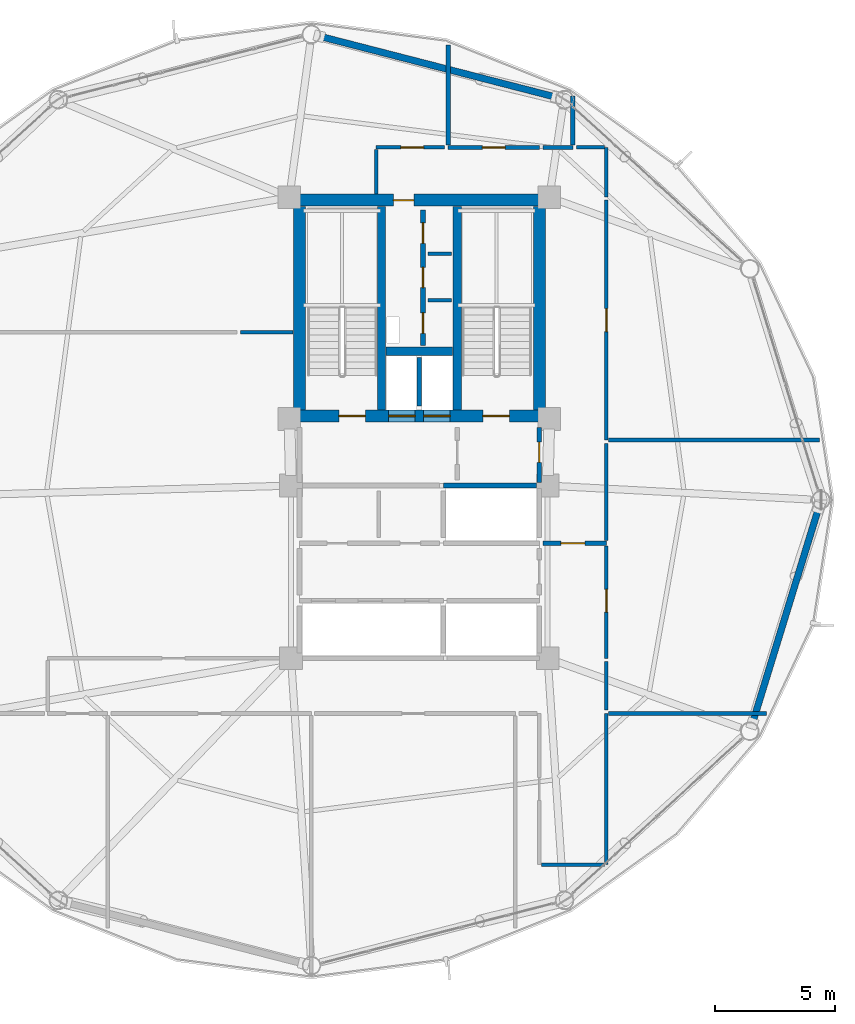
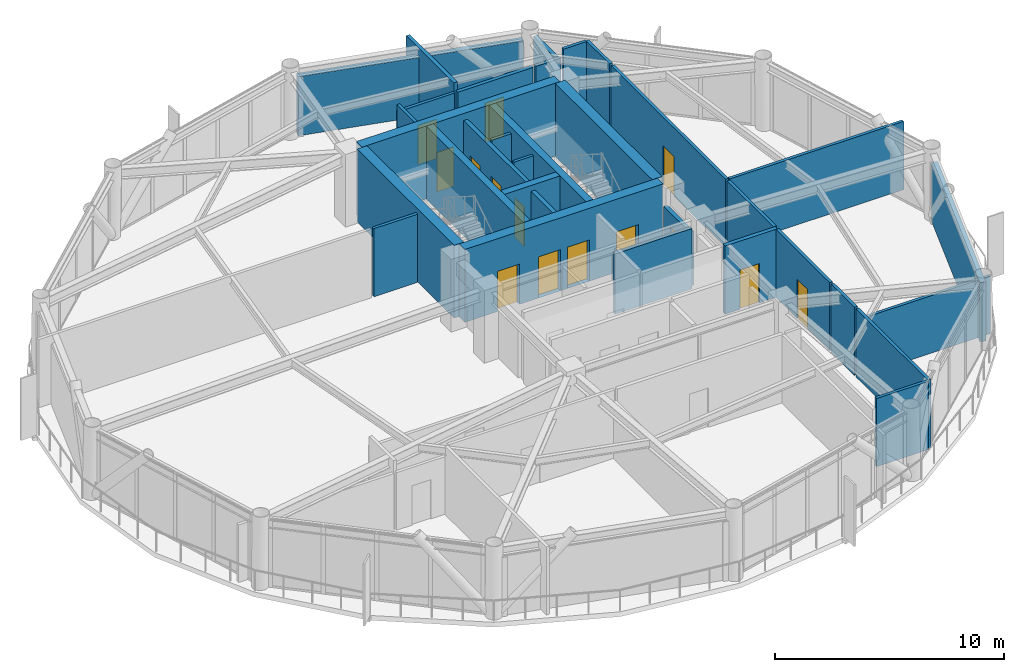
# One storey, part 21 of 25: 33 walls, 14 doors, 14 openings.
"""IFC4 building model written with IfcOpenShell, lengths in metres."""

from ifc_helpers import new_model, si_unit, direction, frame, frame_2d, origin, place, context, subcontext, project, spatial, rectangle, extrude, material, layer, layer_set, type_object, element, fill, save


model = new_model("IFC4")

# Units and contexts
model_context = context("Model", 3, precision=1e-05, world=origin(), true_north=direction((0.0, 1.0)))
body_context = subcontext(model_context, "Body", "Model", "MODEL_VIEW")
ifc_project = project(units=[si_unit("LENGTHUNIT", "METRE"), si_unit("AREAUNIT", "SQUARE_METRE"), si_unit("VOLUMEUNIT", "CUBIC_METRE"), si_unit("PLANEANGLEUNIT", "RADIAN"), si_unit("MASSUNIT", "GRAM", prefix="KILO")], contexts=[model_context])

# Site, building, storey
site_placement = place(None, origin())
site = spatial("IfcSite", under=ifc_project, at=site_placement, CompositionType="ELEMENT")
building_placement = place(site_placement, origin())
building = spatial("IfcBuilding", under=site, at=building_placement, Name="Varnakorn Sky Granary", CompositionType="ELEMENT")
storey_placement = place(building_placement, frame((0.0, 0.0, 122.699951171875)))
storey = spatial("IfcBuildingStorey", under=building, at=storey_placement, Name="L30", CompositionType="ELEMENT", Elevation=122.699951171875)

# Walls
ifc_material_1 = material(Name="Concrete C50/60", Category="concrete")
ifc_layer_1 = layer(ifc_material_1, 0.35009765625, Name="Concrete C50/60")
ifc_layer_set_1 = layer_set([ifc_layer_1], Name="Concrete C50/60")
wall_type_1 = type_object("IfcWallType", Name="WT-CW-INT-350", PredefinedType="SHEAR", material=ifc_layer_set_1)
for number, where, z_axis, x_axis, name in (
    (1, (1.419921875, 3.760009765625, 0.0), (0.0, 0.0, 1.0), (0.0, 1.0, 0.0), "Stair ST-1 Core Wall L30"),
    (2, (4.580078125, 3.760009765625, 0.0), (0.0, 0.0, 1.0), (0.0, 1.0, 0.0), "Stair ST-2 Core Wall L30"),
):
    element("IfcWall", number, at=place(storey_placement, frame(where, z_axis=z_axis, x_axis=x_axis)), inside=storey, type_object=wall_type_1, Name=name, PredefinedType="SHEAR", context=body_context, shape_type="SweptSolid", body=[
        extrude(rectangle(XDim=8.47998046875, YDim=0.35009765625, at=frame_2d((4.239990234375, 0.0))), origin(), (0.0, 0.0, 1.0), 3.89208984375),
    ])
wall_1_placement = place(storey_placement, frame((1.610107421875, 6.199951171875, 0.0), z_axis=(0.0, 0.0, 1.0), x_axis=(1.0, 0.0, 0.0)))
element("IfcWall", 3, at=wall_1_placement, inside=storey, type_object=wall_type_1, Name="Core Lift Shaft Cross Wall L30", PredefinedType="SHEAR", context=body_context, shape_type="SweptSolid", body=[
    extrude(rectangle(XDim=2.77978515625, YDim=0.35009765625, at=frame_2d((1.389892578125, 0.0))), origin(), (0.0, 0.0, 1.0), 3.89208984375),
])

# Wall, openings, doors
ifc_material_2 = material(Name="Concrete C60/75", Category="concrete")
ifc_layer_2 = layer(ifc_material_2, 0.5, Name="Concrete C60/75")
ifc_layer_set_2 = layer_set([ifc_layer_2], Name="Concrete C60/75")
wall_type_2 = type_object("IfcWallType", Name="WT-CW-SHEAR-500", PredefinedType="SHEAR", material=ifc_layer_set_2)
wall_2_placement = place(storey_placement, frame((-2.0, 3.5, 0.0), z_axis=(0.0, 0.0, 1.0), x_axis=(1.0, 0.0, 0.0)))
wall_2 = element("IfcWall", 4, at=wall_2_placement, inside=storey, type_object=wall_type_2, Name="Core South Shear Wall L30", PredefinedType="SHEAR", context=body_context, shape_type="SweptSolid", body=[
    extrude(rectangle(XDim=10.0, YDim=0.5, at=frame_2d((5.0, 0.0))), origin(), (0.0, 0.0, 1.0), 3.89208984375),
])
opening_1_placement = place(wall_2_placement, frame((1.64990234375, 0.0, 0.0)))
opening_1 = element("IfcOpeningElement", 5, at=opening_1_placement, cuts=wall_2, Name="Opening FD-90", PredefinedType="OPENING", context=body_context, shape_type="SweptSolid", body=[
    extrude(rectangle(XDim=1.10009765625, YDim=2.14990234375, at=frame_2d((0.550048828125, 1.074951171875))), frame((0.0, 0.260009765625, 0.0), z_axis=(0.0, -1.0, 0.0), x_axis=(1.0, 0.0, 0.0)), (0.0, 0.0, 1.0), 0.52001953125),
])
opening_2_placement = place(wall_2_placement, frame((7.64990234375, 0.0, 0.0)))
opening_2 = element("IfcOpeningElement", 6, at=opening_2_placement, cuts=wall_2, Name="Opening FD-90", PredefinedType="OPENING", context=body_context, shape_type="SweptSolid", body=[
    extrude(rectangle(XDim=1.10009765625, YDim=2.14990234375, at=frame_2d((0.550048828125, 1.074951171875))), frame((0.0, 0.260009765625, 0.0), z_axis=(0.0, -1.0, 0.0), x_axis=(1.0, 0.0, 0.0)), (0.0, 0.0, 1.0), 0.52001953125),
])
opening_3_placement = place(wall_2_placement, frame((3.719970703125, 0.0, 0.0)))
opening_3 = element("IfcOpeningElement", 7, at=opening_3_placement, cuts=wall_2, Name="Opening LD-01", PredefinedType="OPENING", context=body_context, shape_type="SweptSolid", body=[
    extrude(rectangle(XDim=1.10009765625, YDim=2.199951171875, at=frame_2d((0.550048828125, 1.10009765625))), frame((0.0, 0.260009765625, 0.0), z_axis=(0.0, -1.0, 0.0), x_axis=(1.0, 0.0, 0.0)), (0.0, 0.0, 1.0), 0.52001953125),
])
opening_4_placement = place(wall_2_placement, frame((5.179931640625, 0.0, 0.0)))
opening_4 = element("IfcOpeningElement", 8, at=opening_4_placement, cuts=wall_2, Name="Opening LD-01", PredefinedType="OPENING", context=body_context, shape_type="SweptSolid", body=[
    extrude(rectangle(XDim=1.10009765625, YDim=2.199951171875, at=frame_2d((0.550048828125, 1.10009765625))), frame((0.0, 0.260009765625, 0.0), z_axis=(0.0, -1.0, 0.0), x_axis=(1.0, 0.0, 0.0)), (0.0, 0.0, 1.0), 0.52001953125),
])
ifc_material_3 = material(Name="Brushed Bronze Stainless Steel", Category="steel")
door_type_1 = type_object("IfcDoorType", Name="DR-LD-1100", OperationType="DOUBLE_DOOR_SLIDING", PredefinedType="DOOR", material=ifc_material_3)
door_1_placement = place(opening_3_placement, origin())
door_1 = element("IfcDoor", 9, at=door_1_placement, inside=storey, type_object=door_type_1, Name="Firefighting Lift FFL-1 Landing Door L30", OperationType="DOUBLE_DOOR_SLIDING", OverallHeight=2.199951171875, OverallWidth=1.10009765625, PredefinedType="DOOR", context=body_context, shape_type="SweptSolid", body=[
    extrude(rectangle(XDim=1.10009765625, YDim=2.199951171875, at=frame_2d((0.550048828125, 1.10009765625))), frame((0.0, 0.02490234375, 0.0), z_axis=(0.0, -1.0, 0.0), x_axis=(1.0, 0.0, 0.0)), (0.0, 0.0, 1.0), 0.050048828125),
])
fill(opening_3, door_1)
door_2_placement = place(opening_4_placement, origin())
door_2 = element("IfcDoor", 10, at=door_2_placement, inside=storey, type_object=door_type_1, Name="Firefighting Lift FFL-2 Landing Door L30", OperationType="DOUBLE_DOOR_SLIDING", OverallHeight=2.199951171875, OverallWidth=1.10009765625, PredefinedType="DOOR", context=body_context, shape_type="SweptSolid", body=[
    extrude(rectangle(XDim=1.10009765625, YDim=2.199951171875, at=frame_2d((0.550048828125, 1.10009765625))), frame((0.0, 0.02490234375, 0.0), z_axis=(0.0, -1.0, 0.0), x_axis=(1.0, 0.0, 0.0)), (0.0, 0.0, 1.0), 0.050048828125),
])
fill(opening_4, door_2)
ifc_material_4 = material(Name="Galvanised Painted Steel Leaf", Category="steel")
door_type_2 = type_object("IfcDoorType", Name="DR-STAIR-1100", OperationType="NOTDEFINED", PredefinedType="DOOR", material=ifc_material_4)
door_3_placement = place(opening_1_placement, origin())
door_3 = element("IfcDoor", 11, at=door_3_placement, inside=storey, type_object=door_type_2, Name="Stair ST-1 Protected Fire Door L30", OperationType="SINGLE_SWING_LEFT", OverallHeight=2.14990234375, OverallWidth=1.10009765625, PredefinedType="DOOR", context=body_context, shape_type="SweptSolid", body=[
    extrude(rectangle(XDim=1.10009765625, YDim=2.14990234375, at=frame_2d((0.550048828125, 1.074951171875))), frame((0.0, 0.02490234375, 0.0), z_axis=(0.0, -1.0, 0.0), x_axis=(1.0, 0.0, 0.0)), (0.0, 0.0, 1.0), 0.050048828125),
])
fill(opening_1, door_3)
door_4_placement = place(opening_2_placement, origin())
door_4 = element("IfcDoor", 12, at=door_4_placement, inside=storey, type_object=door_type_2, Name="Stair ST-2 Protected Fire Door L30", OperationType="SINGLE_SWING_RIGHT", OverallHeight=2.14990234375, OverallWidth=1.10009765625, PredefinedType="DOOR", context=body_context, shape_type="SweptSolid", body=[
    extrude(rectangle(XDim=1.10009765625, YDim=2.14990234375, at=frame_2d((0.550048828125, 1.074951171875))), frame((0.0, 0.02490234375, 0.0), z_axis=(0.0, -1.0, 0.0), x_axis=(1.0, 0.0, 0.0)), (0.0, 0.0, 1.0), 0.050048828125),
])
fill(opening_2, door_4)

# Wall, opening, door
wall_3_placement = place(storey_placement, frame((-2.0, 12.5, 0.0), z_axis=(0.0, 0.0, 1.0), x_axis=(1.0, 0.0, 0.0)))
wall_3 = element("IfcWall", 13, at=wall_3_placement, inside=storey, type_object=wall_type_2, Name="Core North Shear Wall L30", PredefinedType="SHEAR", context=body_context, shape_type="SweptSolid", body=[
    extrude(rectangle(XDim=10.0, YDim=0.5, at=frame_2d((5.0, 0.0))), origin(), (0.0, 0.0, 1.0), 3.89208984375),
])
opening_5_placement = place(wall_3_placement, frame((3.919921875, 0.0, 0.0)))
opening_5 = element("IfcOpeningElement", 14, at=opening_5_placement, cuts=wall_3, Name="Opening FD-60N", PredefinedType="OPENING", context=body_context, shape_type="SweptSolid", body=[
    extrude(rectangle(XDim=0.85009765625, YDim=2.10009765625, at=frame_2d((0.425048828125, 1.050048828125))), frame((0.0, 0.260009765625, 0.0), z_axis=(0.0, -1.0, 0.0), x_axis=(1.0, 0.0, 0.0)), (0.0, 0.0, 1.0), 0.52001953125),
])
ifc_material_5 = material(Name="Acoustic Timber Fire Leaf", Category="wood")
door_type_3 = type_object("IfcDoorType", Name="DR-FD60-850", OperationType="NOTDEFINED", PredefinedType="DOOR", material=ifc_material_5)
door_5_placement = place(opening_5_placement, origin())
door_5 = element("IfcDoor", 15, at=door_5_placement, inside=storey, type_object=door_type_3, Name="Core North Service Door L30", OperationType="SINGLE_SWING_RIGHT", OverallHeight=2.10009765625, OverallWidth=0.85009765625, PredefinedType="DOOR", context=body_context, shape_type="SweptSolid", body=[
    extrude(rectangle(XDim=0.85009765625, YDim=2.10009765625, at=frame_2d((0.425048828125, 1.050048828125))), frame((0.0, 0.02490234375, 0.0), z_axis=(0.0, -1.0, 0.0), x_axis=(1.0, 0.0, 0.0)), (0.0, 0.0, 1.0), 0.050048828125),
])
fill(opening_5, door_5)

# Walls
for number, where, z_axis, x_axis, name in (
    (16, (-2.0, 3.760009765625, 0.0), (0.0, 0.0, 1.0), (0.0, 1.0, 0.0), "Core West Shear Wall L30"),
    (17, (8.0, 3.760009765625, 0.0), (0.0, 0.0, 1.0), (0.0, 1.0, 0.0), "Core East Shear Wall L30"),
):
    element("IfcWall", number, at=place(storey_placement, frame(where, z_axis=z_axis, x_axis=x_axis)), inside=storey, type_object=wall_type_2, Name=name, PredefinedType="SHEAR", context=body_context, shape_type="SweptSolid", body=[
        extrude(rectangle(XDim=8.47998046875, YDim=0.5, at=frame_2d((4.239990234375, 0.0))), origin(), (0.0, 0.0, 1.0), 3.89208984375),
    ])
ifc_material_6 = material(Name="Precast concrete C40/50", Category="concrete")
ifc_layer_3 = layer(ifc_material_6, 0.280029296875, Name="Precast concrete C40/50")
ifc_layer_set_3 = layer_set([ifc_layer_3], Name="Precast concrete C40/50")
wall_type_3 = type_object("IfcWallType", Name="WT-EW-CRN-280", PredefinedType="SOLIDWALL", material=ifc_layer_set_3)
wall_4_placement = place(storey_placement, frame((-1.174560546875, 19.337158203125, 0.0), z_axis=(0.0, 0.0, 1.0), x_axis=(0.968402744181, -0.249391509604, 0.0)))
element("IfcWall", 18, at=wall_4_placement, inside=storey, type_object=wall_type_3, Name="Agritech Insulated Precast Facade Wall L30-P03", PredefinedType="SOLIDWALL", context=body_context, shape_type="SweptSolid", body=[
    extrude(rectangle(XDim=10.22998046875, YDim=0.280029296875, at=frame_2d((5.114990234375, 0.0))), origin(), (0.0, 0.0, 1.0), 3.16015625),
])
wall_5_placement = place(storey_placement, frame((19.6513671875, -0.3212890625, 0.0), z_axis=(0.0, 0.0, 1.0), x_axis=(-0.293816185851, -0.955861940309, 0.0)))
element("IfcWall", 19, at=wall_5_placement, inside=storey, type_object=wall_type_3, Name="Agritech Insulated Precast Facade Wall L30-P12", PredefinedType="SOLIDWALL", context=body_context, shape_type="SweptSolid", body=[
    extrude(rectangle(XDim=9.416015625, YDim=0.280029296875, at=frame_2d((4.7080078125, 0.0))), origin(), (0.0, 0.0, 1.0), 3.16015625),
])

# Wall, openings, doors
ifc_material_7 = material(Name="Autoclaved Aerated Concrete Blockwork", Category="masonry")
ifc_layer_4 = layer(ifc_material_7, 0.199951171875, Name="Autoclaved Aerated Concrete Blockwork")
ifc_layer_set_4 = layer_set([ifc_layer_4], Name="Autoclaved Aerated Concrete Blockwork")
wall_type_4 = type_object("IfcWallType", Name="WT-FIRE-200", PredefinedType="MOVABLE", material=ifc_layer_set_4)
wall_6_placement = place(storey_placement, frame((3.14990234375, 6.449951171875, 0.0), z_axis=(0.0, 0.0, 1.0), x_axis=(0.0, 1.0, 0.0)))
wall_6 = element("IfcWall", 20, at=wall_6_placement, inside=storey, type_object=wall_type_4, Name="Interior Partition Wall L30-013", PredefinedType="MOVABLE", context=body_context, shape_type="SweptSolid", body=[
    extrude(rectangle(XDim=5.650146484375, YDim=0.199951171875, at=frame_2d((2.8251953125, 0.0))), origin(), (0.0, 0.0, 1.0), 3.64013671875),
])
opening_6_placement = place(wall_6_placement, frame((0.5, 0.0, 0.0)))
opening_6 = element("IfcOpeningElement", 21, at=opening_6_placement, cuts=wall_6, Name="Opening FD-60N", PredefinedType="OPENING", context=body_context, shape_type="SweptSolid", body=[
    extrude(rectangle(XDim=0.85009765625, YDim=2.10009765625, at=frame_2d((0.425048828125, 1.050048828125))), frame((0.0, 0.10986328125, 0.0), z_axis=(0.0, -1.0, 0.0), x_axis=(1.0, 0.0, 0.0)), (0.0, 0.0, 1.0), 0.219970703125),
])
opening_7_placement = place(wall_6_placement, frame((2.39990234375, 0.0, 0.0)))
opening_7 = element("IfcOpeningElement", 22, at=opening_7_placement, cuts=wall_6, Name="Opening FD-60N", PredefinedType="OPENING", context=body_context, shape_type="SweptSolid", body=[
    extrude(rectangle(XDim=0.85009765625, YDim=2.10009765625, at=frame_2d((0.425048828125, 1.050048828125))), frame((0.0, 0.10986328125, 0.0), z_axis=(0.0, -1.0, 0.0), x_axis=(1.0, 0.0, 0.0)), (0.0, 0.0, 1.0), 0.219970703125),
])
opening_8_placement = place(wall_6_placement, frame((4.25, 0.0, 0.0)))
opening_8 = element("IfcOpeningElement", 23, at=opening_8_placement, cuts=wall_6, Name="Opening FD-60N", PredefinedType="OPENING", context=body_context, shape_type="SweptSolid", body=[
    extrude(rectangle(XDim=0.85009765625, YDim=2.10009765625, at=frame_2d((0.425048828125, 1.050048828125))), frame((0.0, 0.10986328125, 0.0), z_axis=(0.0, -1.0, 0.0), x_axis=(1.0, 0.0, 0.0)), (0.0, 0.0, 1.0), 0.219970703125),
])
door_6_placement = place(opening_6_placement, origin())
door_6 = element("IfcDoor", 24, at=door_6_placement, inside=storey, type_object=door_type_3, Name="Interior Door L30-013-1", OperationType="SINGLE_SWING_LEFT", OverallHeight=2.10009765625, OverallWidth=0.85009765625, PredefinedType="DOOR", context=body_context, shape_type="SweptSolid", body=[
    extrude(rectangle(XDim=0.85009765625, YDim=2.10009765625, at=frame_2d((0.425048828125, 1.050048828125))), frame((0.0, 0.02490234375, 0.0), z_axis=(0.0, -1.0, 0.0), x_axis=(1.0, 0.0, 0.0)), (0.0, 0.0, 1.0), 0.050048828125),
])
fill(opening_6, door_6)
door_7_placement = place(opening_7_placement, origin())
door_7 = element("IfcDoor", 25, at=door_7_placement, inside=storey, type_object=door_type_3, Name="Interior Door L30-013-2", OperationType="SINGLE_SWING_RIGHT", OverallHeight=2.10009765625, OverallWidth=0.85009765625, PredefinedType="DOOR", context=body_context, shape_type="SweptSolid", body=[
    extrude(rectangle(XDim=0.85009765625, YDim=2.10009765625, at=frame_2d((0.425048828125, 1.050048828125))), frame((0.0, 0.02490234375, 0.0), z_axis=(0.0, -1.0, 0.0), x_axis=(1.0, 0.0, 0.0)), (0.0, 0.0, 1.0), 0.050048828125),
])
fill(opening_7, door_7)
door_8_placement = place(opening_8_placement, origin())
door_8 = element("IfcDoor", 26, at=door_8_placement, inside=storey, type_object=door_type_3, Name="Interior Door L30-013-3", OperationType="SINGLE_SWING_LEFT", OverallHeight=2.10009765625, OverallWidth=0.85009765625, PredefinedType="DOOR", context=body_context, shape_type="SweptSolid", body=[
    extrude(rectangle(XDim=0.85009765625, YDim=2.10009765625, at=frame_2d((0.425048828125, 1.050048828125))), frame((0.0, 0.02490234375, 0.0), z_axis=(0.0, -1.0, 0.0), x_axis=(1.0, 0.0, 0.0)), (0.0, 0.0, 1.0), 0.050048828125),
])
fill(opening_8, door_8)

# Wall, opening, door
wall_7_placement = place(storey_placement, frame((8.0, 0.719970703125, 0.0), z_axis=(0.0, 0.0, 1.0), x_axis=(0.0, 1.0, 0.0)))
wall_7 = element("IfcWall", 27, at=wall_7_placement, inside=storey, type_object=wall_type_4, Name="Interior Partition Wall L30-015", PredefinedType="MOVABLE", context=body_context, shape_type="SweptSolid", body=[
    extrude(rectangle(XDim=2.300048828125, YDim=0.199951171875, at=frame_2d((1.14990234375, 0.0))), origin(), (0.0, 0.0, 1.0), 2.8720703125),
])
opening_9_placement = place(wall_7_placement, frame((0.844970703125, 0.0, 0.0)))
opening_9 = element("IfcOpeningElement", 28, at=opening_9_placement, cuts=wall_7, Name="Opening FD-60N", PredefinedType="OPENING", context=body_context, shape_type="SweptSolid", body=[
    extrude(rectangle(XDim=0.85009765625, YDim=2.10009765625, at=frame_2d((0.425048828125, 1.050048828125))), frame((0.0, 0.10986328125, 0.0), z_axis=(0.0, -1.0, 0.0), x_axis=(1.0, 0.0, 0.0)), (0.0, 0.0, 1.0), 0.219970703125),
])
door_9_placement = place(opening_9_placement, origin())
door_9 = element("IfcDoor", 29, at=door_9_placement, inside=storey, type_object=door_type_3, Name="Interior Door L30-015-1", OperationType="SINGLE_SWING_LEFT", OverallHeight=2.10009765625, OverallWidth=0.85009765625, PredefinedType="DOOR", context=body_context, shape_type="SweptSolid", body=[
    extrude(rectangle(XDim=0.85009765625, YDim=2.10009765625, at=frame_2d((0.425048828125, 1.050048828125))), frame((0.0, 0.02490234375, 0.0), z_axis=(0.0, -1.0, 0.0), x_axis=(1.0, 0.0, 0.0)), (0.0, 0.0, 1.0), 0.050048828125),
])
fill(opening_9, door_9)

wall_8_placement = place(storey_placement, frame((8.159912109375, -1.800048828125, 0.0), z_axis=(0.0, 0.0, 1.0), x_axis=(1.0, 0.0, 0.0)))
wall_8 = element("IfcWall", 30, at=wall_8_placement, inside=storey, type_object=wall_type_4, Name="Interior Partition Wall L30-018", PredefinedType="MOVABLE", context=body_context, shape_type="SweptSolid", body=[
    extrude(rectangle(XDim=2.64013671875, YDim=0.199951171875, at=frame_2d((1.320068359375, 0.0))), origin(), (0.0, 0.0, 1.0), 3.64013671875),
])
opening_10_placement = place(wall_8_placement, frame((0.739990234375, 0.0, 0.0)))
opening_10 = element("IfcOpeningElement", 31, at=opening_10_placement, cuts=wall_8, Name="Opening FD-60", PredefinedType="OPENING", context=body_context, shape_type="SweptSolid", body=[
    extrude(rectangle(XDim=1.0, YDim=2.10009765625, at=frame_2d((0.5, 1.050048828125))), frame((0.0, 0.10986328125, 0.0), z_axis=(0.0, -1.0, 0.0), x_axis=(1.0, 0.0, 0.0)), (0.0, 0.0, 1.0), 0.219970703125),
])
door_type_4 = type_object("IfcDoorType", Name="DR-FD60-1000", OperationType="NOTDEFINED", PredefinedType="DOOR", material=ifc_material_5)
door_10_placement = place(opening_10_placement, origin())
door_10 = element("IfcDoor", 32, at=door_10_placement, inside=storey, type_object=door_type_4, Name="Interior Door L30-018-1", OperationType="SINGLE_SWING_LEFT", OverallHeight=2.10009765625, OverallWidth=1.0, PredefinedType="DOOR", context=body_context, shape_type="SweptSolid", body=[
    extrude(rectangle(XDim=1.0, YDim=2.10009765625, at=frame_2d((0.5, 1.050048828125))), frame((0.0, 0.02490234375, 0.0), z_axis=(0.0, -1.0, 0.0), x_axis=(1.0, 0.0, 0.0)), (0.0, 0.0, 1.0), 0.050048828125),
])
fill(opening_10, door_10)

ifc_material_8 = material(Name="Gypsum Plasterboard on Steel Stud", Category="steel")
ifc_layer_5 = layer(ifc_material_8, 0.14990234375, Name="Gypsum Plasterboard on Steel Stud")
ifc_layer_set_5 = layer_set([ifc_layer_5], Name="Gypsum Plasterboard on Steel Stud")
wall_type_5 = type_object("IfcWallType", Name="WT-PART-150", PredefinedType="PARTITIONING", material=ifc_layer_set_5)
wall_9_placement = place(storey_placement, frame((4.050048828125, 14.699951171875, 0.0), z_axis=(0.0, 0.0, 1.0), x_axis=(-1.0, 0.0, 0.0)))
wall_9 = element("IfcWall", 33, at=wall_9_placement, inside=storey, type_object=wall_type_5, Name="Interior Partition Wall L30-025", PredefinedType="PARTITIONING", context=body_context, shape_type="SweptSolid", body=[
    extrude(rectangle(XDim=2.85009765625, YDim=0.14990234375, at=frame_2d((1.425048828125, 0.0))), origin(), (0.0, 0.0, 1.0), 3.22216796875),
])
opening_11_placement = place(wall_9_placement, frame((0.875, 0.0, 0.0)))
opening_11 = element("IfcOpeningElement", 34, at=opening_11_placement, cuts=wall_9, Name="Opening ID-95", PredefinedType="OPENING", context=body_context, shape_type="SweptSolid", body=[
    extrude(rectangle(XDim=0.949951171875, YDim=2.10009765625, at=frame_2d((0.47509765625, 1.050048828125))), frame((0.0, 0.0849609375, 0.0), z_axis=(0.0, -1.0, 0.0), x_axis=(1.0, 0.0, 0.0)), (0.0, 0.0, 1.0), 0.169921875),
])
ifc_material_9 = material(Name="Solid-Core Teak Veneer Leaf", Category="timber")
door_type_5 = type_object("IfcDoorType", Name="DR-INT-950", OperationType="NOTDEFINED", PredefinedType="DOOR", material=ifc_material_9)
door_11_placement = place(opening_11_placement, origin())
door_11 = element("IfcDoor", 35, at=door_11_placement, inside=storey, type_object=door_type_5, Name="Interior Door L30-025-1", OperationType="SINGLE_SWING_RIGHT", OverallHeight=2.10009765625, OverallWidth=0.949951171875, PredefinedType="DOOR", context=body_context, shape_type="SweptSolid", body=[
    extrude(rectangle(XDim=0.949951171875, YDim=2.10009765625, at=frame_2d((0.47509765625, 1.050048828125))), frame((0.0, 0.02490234375, 0.0), z_axis=(0.0, -1.0, 0.0), x_axis=(1.0, 0.0, 0.0)), (0.0, 0.0, 1.0), 0.050048828125),
])
fill(opening_11, door_11)

wall_10_placement = place(storey_placement, frame((10.800048828125, -6.60009765625, 0.0), z_axis=(0.0, 0.0, 1.0), x_axis=(0.0, 1.0, 0.0)))
wall_10 = element("IfcWall", 36, at=wall_10_placement, inside=storey, type_object=wall_type_5, Name="Interior Partition Wall L30-026", PredefinedType="PARTITIONING", context=body_context, shape_type="SweptSolid", body=[
    extrude(rectangle(XDim=4.690185546875, YDim=0.14990234375, at=frame_2d((2.34521484375, 0.0))), origin(), (0.0, 0.0, 1.0), 3.64013671875),
])
opening_12_placement = place(wall_10_placement, frame((1.925048828125, 0.0, 0.0)))
opening_12 = element("IfcOpeningElement", 37, at=opening_12_placement, cuts=wall_10, Name="Opening ID-95", PredefinedType="OPENING", context=body_context, shape_type="SweptSolid", body=[
    extrude(rectangle(XDim=0.949951171875, YDim=2.10009765625, at=frame_2d((0.47509765625, 1.050048828125))), frame((0.0, 0.0849609375, 0.0), z_axis=(0.0, -1.0, 0.0), x_axis=(1.0, 0.0, 0.0)), (0.0, 0.0, 1.0), 0.169921875),
])
door_12_placement = place(opening_12_placement, origin())
door_12 = element("IfcDoor", 38, at=door_12_placement, inside=storey, type_object=door_type_5, Name="Interior Door L30-026-1", OperationType="SINGLE_SWING_LEFT", OverallHeight=2.10009765625, OverallWidth=0.949951171875, PredefinedType="DOOR", context=body_context, shape_type="SweptSolid", body=[
    extrude(rectangle(XDim=0.949951171875, YDim=2.10009765625, at=frame_2d((0.47509765625, 1.050048828125))), frame((0.0, 0.02490234375, 0.0), z_axis=(0.0, -1.0, 0.0), x_axis=(1.0, 0.0, 0.0)), (0.0, 0.0, 1.0), 0.050048828125),
])
fill(opening_12, door_12)

wall_11_placement = place(storey_placement, frame((10.800048828125, 2.5, 0.0), z_axis=(0.0, 0.0, 1.0), x_axis=(0.0, 1.0, 0.0)))
wall_11 = element("IfcWall", 39, at=wall_11_placement, inside=storey, type_object=wall_type_5, Name="Interior Partition Wall L30-027", PredefinedType="PARTITIONING", context=body_context, shape_type="SweptSolid", body=[
    extrude(rectangle(XDim=10.0, YDim=0.14990234375, at=frame_2d((5.0, 0.0))), origin(), (0.0, 0.0, 1.0), 3.64013671875),
])
opening_13_placement = place(wall_11_placement, frame((4.52490234375, 0.0, 0.0)))
opening_13 = element("IfcOpeningElement", 40, at=opening_13_placement, cuts=wall_11, Name="Opening ID-95", PredefinedType="OPENING", context=body_context, shape_type="SweptSolid", body=[
    extrude(rectangle(XDim=0.949951171875, YDim=2.10009765625, at=frame_2d((0.47509765625, 1.050048828125))), frame((0.0, 0.0849609375, 0.0), z_axis=(0.0, -1.0, 0.0), x_axis=(1.0, 0.0, 0.0)), (0.0, 0.0, 1.0), 0.169921875),
])
door_13_placement = place(opening_13_placement, origin())
door_13 = element("IfcDoor", 41, at=door_13_placement, inside=storey, type_object=door_type_5, Name="Interior Door L30-027-1", OperationType="SINGLE_SWING_RIGHT", OverallHeight=2.10009765625, OverallWidth=0.949951171875, PredefinedType="DOOR", context=body_context, shape_type="SweptSolid", body=[
    extrude(rectangle(XDim=0.949951171875, YDim=2.10009765625, at=frame_2d((0.47509765625, 1.050048828125))), frame((0.0, 0.02490234375, 0.0), z_axis=(0.0, -1.0, 0.0), x_axis=(1.0, 0.0, 0.0)), (0.0, 0.0, 1.0), 0.050048828125),
])
fill(opening_13, door_13)

# Walls
for number, where, z_axis, x_axis, name in (
    (42, (3.3701171875, 8.320068359375, 0.0), (0.0, 0.0, 1.0), (1.0, 0.0, 0.0), "Interior Partition Wall L30-028"),
    (43, (3.3701171875, 10.260009765625, 0.0), (0.0, 0.0, 1.0), (1.0, 0.0, 0.0), "Interior Partition Wall L30-029"),
):
    element("IfcWall", number, at=place(storey_placement, frame(where, z_axis=z_axis, x_axis=x_axis)), inside=storey, type_object=wall_type_5, Name=name, PredefinedType="PARTITIONING", context=body_context, shape_type="SweptSolid", body=[
        extrude(rectangle(XDim=0.97998046875, YDim=0.14990234375, at=frame_2d((0.489990234375, 0.0))), origin(), (0.0, 0.0, 1.0), 3.64013671875),
    ])
wall_12_placement = place(storey_placement, frame((10.800048828125, -15.199951171875, 0.0), z_axis=(0.0, 0.0, 1.0), x_axis=(0.0, 1.0, 0.0)))
element("IfcWall", 44, at=wall_12_placement, inside=storey, type_object=wall_type_5, Name="Interior Partition Wall L30-040", PredefinedType="PARTITIONING", context=body_context, shape_type="SweptSolid", body=[
    extrude(rectangle(XDim=6.300048828125, YDim=0.14990234375, at=frame_2d((3.14990234375, 0.0))), origin(), (0.0, 0.0, 1.0), 3.64013671875),
])
wall_13_placement = place(storey_placement, frame((8.0849609375, -15.199951171875, 0.0), z_axis=(0.0, 0.0, 1.0), x_axis=(1.0, 0.0, 0.0)))
element("IfcWall", 45, at=wall_13_placement, inside=storey, type_object=wall_type_5, Name="Interior Partition Wall L30-041", PredefinedType="PARTITIONING", context=body_context, shape_type="SweptSolid", body=[
    extrude(rectangle(XDim=2.630126953125, YDim=0.14990234375, at=frame_2d((1.31494140625, 0.0))), origin(), (0.0, 0.0, 1.0), 3.64013671875),
])
wall_14_placement = place(storey_placement, frame((10.885009765625, -8.89990234375, 0.0), z_axis=(0.0, 0.0, 1.0), x_axis=(1.0, 0.0, 0.0)))
element("IfcWall", 46, at=wall_14_placement, inside=storey, type_object=wall_type_5, Name="Interior Partition Wall L30-043", PredefinedType="PARTITIONING", context=body_context, shape_type="SweptSolid", body=[
    extrude(rectangle(XDim=6.594970703125, YDim=0.14990234375, at=frame_2d((3.29736328125, 0.0))), origin(), (0.0, 0.0, 1.0), 3.072021484375),
])
wall_15_placement = place(storey_placement, frame((-4.465087890625, 7.0, 0.0), z_axis=(0.0, 0.0, 1.0), x_axis=(1.0, 0.0, 0.0)))
element("IfcWall", 47, at=wall_15_placement, inside=storey, type_object=wall_type_5, Name="Interior Partition Wall L30-046", PredefinedType="PARTITIONING", context=body_context, shape_type="SweptSolid", body=[
    extrude(rectangle(XDim=2.205078125, YDim=0.14990234375, at=frame_2d((1.1025390625, 0.0))), origin(), (0.0, 0.0, 1.0), 3.64013671875),
])
wall_16_placement = place(storey_placement, frame((1.199951171875, 14.614990234375, 0.0), z_axis=(0.0, 0.0, 1.0), x_axis=(0.0, -1.0, 0.0)))
element("IfcWall", 48, at=wall_16_placement, inside=storey, type_object=wall_type_5, Name="Interior Partition Wall L30-047", PredefinedType="PARTITIONING", context=body_context, shape_type="SweptSolid", body=[
    extrude(rectangle(XDim=1.85498046875, YDim=0.14990234375, at=frame_2d((0.927490234375, 0.0))), origin(), (0.0, 0.0, 1.0), 3.64013671875),
])
wall_17_placement = place(storey_placement, frame((10.800048828125, -8.764892578125, 0.0), z_axis=(0.0, 0.0, 1.0), x_axis=(0.0, 1.0, 0.0)))
element("IfcWall", 49, at=wall_17_placement, inside=storey, type_object=wall_type_5, Name="Interior Partition Wall L30-049", PredefinedType="PARTITIONING", context=body_context, shape_type="SweptSolid", body=[
    extrude(rectangle(XDim=2.02978515625, YDim=0.14990234375, at=frame_2d((1.014892578125, 0.0))), origin(), (0.0, 0.0, 1.0), 3.64013671875),
])
wall_18_placement = place(storey_placement, frame((10.800048828125, -1.68994140625, 0.0), z_axis=(0.0, 0.0, 1.0), x_axis=(0.0, 1.0, 0.0)))
element("IfcWall", 50, at=wall_18_placement, inside=storey, type_object=wall_type_5, Name="Interior Partition Wall L30-050", PredefinedType="PARTITIONING", context=body_context, shape_type="SweptSolid", body=[
    extrude(rectangle(XDim=4.054931640625, YDim=0.14990234375, at=frame_2d((2.02734375, 0.0))), origin(), (0.0, 0.0, 1.0), 3.64013671875),
])
wall_19_placement = place(storey_placement, frame((10.885009765625, 2.5, 0.0), z_axis=(0.0, 0.0, 1.0), x_axis=(1.0, 0.0, 0.0)))
element("IfcWall", 51, at=wall_19_placement, inside=storey, type_object=wall_type_5, Name="Interior Partition Wall L30-051", PredefinedType="PARTITIONING", context=body_context, shape_type="SweptSolid", body=[
    extrude(rectangle(XDim=8.79296875, YDim=0.14990234375, at=frame_2d((4.396484375, 0.0))), origin(), (0.0, 0.0, 1.0), 3.64013671875),
])
wall_20_placement = place(storey_placement, frame((10.800048828125, 12.635009765625, 0.0), z_axis=(0.0, 0.0, 1.0), x_axis=(0.0, 1.0, 0.0)))
element("IfcWall", 52, at=wall_20_placement, inside=storey, type_object=wall_type_5, Name="Interior Partition Wall L30-052", PredefinedType="PARTITIONING", context=body_context, shape_type="SweptSolid", body=[
    extrude(rectangle(XDim=2.06494140625, YDim=0.14990234375, at=frame_2d((1.032470703125, 0.0))), origin(), (0.0, 0.0, 1.0), 3.64013671875),
])
wall_21_placement = place(storey_placement, frame((10.715087890625, 14.699951171875, 0.0), z_axis=(0.0, 0.0, 1.0), x_axis=(-1.0, 0.0, 0.0)))
element("IfcWall", 53, at=wall_21_placement, inside=storey, type_object=wall_type_5, Name="Interior Partition Wall L30-053", PredefinedType="PARTITIONING", context=body_context, shape_type="SweptSolid", body=[
    extrude(rectangle(XDim=1.1650390625, YDim=0.14990234375, at=frame_2d((0.58251953125, 0.0))), origin(), (0.0, 0.0, 1.0), 3.64013671875),
])

# Wall, opening, door
ifc_material_10 = material(Name="Moisture-Resistant Gypsum on Stud", Category="gypsum")
ifc_layer_6 = layer(ifc_material_10, 0.179931640625, Name="Moisture-Resistant Gypsum on Stud")
ifc_layer_set_6 = layer_set([ifc_layer_6], Name="Moisture-Resistant Gypsum on Stud")
wall_type_6 = type_object("IfcWallType", Name="WT-PLUMB-180", PredefinedType="PLUMBINGWALL", material=ifc_layer_set_6)
wall_22_placement = place(storey_placement, frame((8.0, 14.699951171875, 0.0), z_axis=(0.0, 0.0, 1.0), x_axis=(-1.0, 0.0, 0.0)))
wall_22 = element("IfcWall", 54, at=wall_22_placement, inside=storey, type_object=wall_type_6, Name="Interior Partition Wall L30-019", PredefinedType="PLUMBINGWALL", context=body_context, shape_type="SweptSolid", body=[
    extrude(rectangle(XDim=3.800048828125, YDim=0.179931640625, at=frame_2d((1.89990234375, 0.0))), origin(), (0.0, 0.0, 1.0), 3.22216796875),
])
opening_14_placement = place(wall_22_placement, frame((1.425048828125, 0.0, 0.0)))
opening_14 = element("IfcOpeningElement", 55, at=opening_14_placement, cuts=wall_22, Name="Opening ID-95", PredefinedType="OPENING", context=body_context, shape_type="SweptSolid", body=[
    extrude(rectangle(XDim=0.949951171875, YDim=2.10009765625, at=frame_2d((0.47509765625, 1.050048828125))), frame((0.0, 0.10009765625, 0.0), z_axis=(0.0, -1.0, 0.0), x_axis=(1.0, 0.0, 0.0)), (0.0, 0.0, 1.0), 0.199951171875),
])
door_14_placement = place(opening_14_placement, origin())
door_14 = element("IfcDoor", 56, at=door_14_placement, inside=storey, type_object=door_type_5, Name="Interior Door L30-019-1", OperationType="SINGLE_SWING_RIGHT", OverallHeight=2.10009765625, OverallWidth=0.949951171875, PredefinedType="DOOR", context=body_context, shape_type="SweptSolid", body=[
    extrude(rectangle(XDim=0.949951171875, YDim=2.10009765625, at=frame_2d((0.47509765625, 1.050048828125))), frame((0.0, 0.02490234375, 0.0), z_axis=(0.0, -1.0, 0.0), x_axis=(1.0, 0.0, 0.0)), (0.0, 0.0, 1.0), 0.050048828125),
])
fill(opening_14, door_14)

# Walls
wall_23_placement = place(storey_placement, frame((9.39990234375, 14.699951171875, 0.0), z_axis=(0.0, 0.0, 1.0), x_axis=(-1.0, 0.0, 0.0)))
element("IfcWall", 57, at=wall_23_placement, inside=storey, type_object=wall_type_6, Name="Interior Partition Wall L30-035", PredefinedType="PLUMBINGWALL", context=body_context, shape_type="SweptSolid", body=[
    extrude(rectangle(XDim=1.25, YDim=0.179931640625, at=frame_2d((0.625, 0.0))), origin(), (0.0, 0.0, 1.0), 3.22216796875),
])
wall_24_placement = place(storey_placement, frame((4.199951171875, 18.962890625, 0.0), z_axis=(0.0, 0.0, 1.0), x_axis=(0.0, -1.0, 0.0)))
element("IfcWall", 58, at=wall_24_placement, inside=storey, type_object=wall_type_6, Name="Interior Partition Wall L30-048", PredefinedType="PLUMBINGWALL", context=body_context, shape_type="SweptSolid", body=[
    extrude(rectangle(XDim=4.162841796875, YDim=0.179931640625, at=frame_2d((2.08154296875, 0.0))), origin(), (0.0, 0.0, 1.0), 3.64013671875),
])
wall_25_placement = place(storey_placement, frame((9.39990234375, 14.800048828125, 0.0), z_axis=(0.0, 0.0, 1.0), x_axis=(0.0, 1.0, 0.0)))
element("IfcWall", 59, at=wall_25_placement, inside=storey, type_object=wall_type_6, Name="Interior Partition Wall L30-054", PredefinedType="PLUMBINGWALL", context=body_context, shape_type="SweptSolid", body=[
    extrude(rectangle(XDim=2.036865234375, YDim=0.179931640625, at=frame_2d((1.0185546875, 0.0))), origin(), (0.0, 0.0, 1.0), 3.072021484375),
])
ifc_layer_7 = layer(ifc_material_7, 0.199951171875, Name="Autoclaved Aerated Concrete Blockwork")
ifc_layer_set_7 = layer_set([ifc_layer_7], Name="Autoclaved Aerated Concrete Blockwork")
wall_type_7 = type_object("IfcWallType", Name="WT-SHAFT-200", PredefinedType="SOLIDWALL", material=ifc_layer_set_7)
wall_26_placement = place(storey_placement, frame((3.0, 3.919921875, 0.0), z_axis=(0.0, 0.0, 1.0), x_axis=(0.0, 1.0, 0.0)))
element("IfcWall", 60, at=wall_26_placement, inside=storey, type_object=wall_type_7, Name="Interior Partition Wall L30-001", PredefinedType="SOLIDWALL", context=body_context, shape_type="SweptSolid", body=[
    extrude(rectangle(XDim=2.030029296875, YDim=0.199951171875, at=frame_2d((1.01513671875, 0.0))), origin(), (0.0, 0.0, 1.0), 3.64013671875),
])
wall_27_placement = place(storey_placement, frame((4.0, 0.60009765625, 0.0), z_axis=(0.0, 0.0, 1.0), x_axis=(1.0, 0.0, 0.0)))
element("IfcWall", 61, at=wall_27_placement, inside=storey, type_object=wall_type_7, Name="Interior Partition Wall L30-002", PredefinedType="SOLIDWALL", context=body_context, shape_type="SweptSolid", body=[
    extrude(rectangle(XDim=3.8798828125, YDim=0.199951171875, at=frame_2d((1.93994140625, 0.0))), origin(), (0.0, 0.0, 1.0), 3.22216796875),
])

save(model, "model.ifc")
